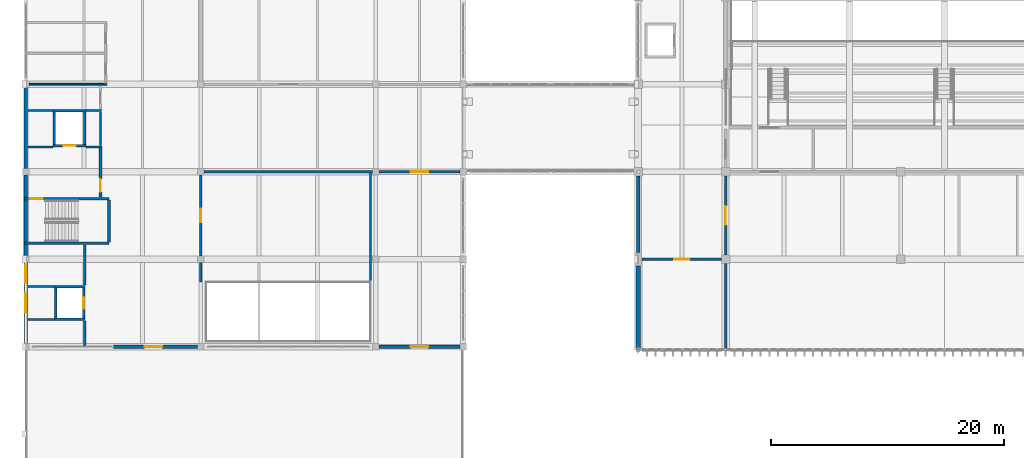
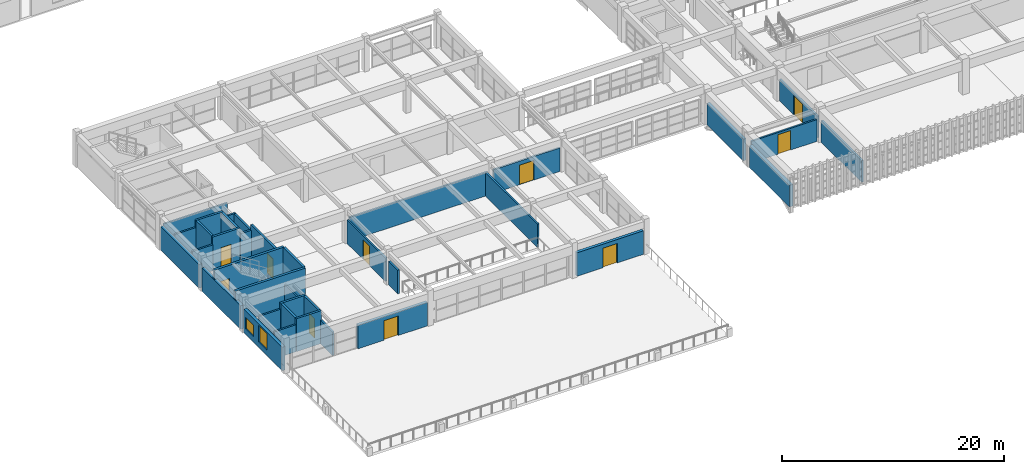
# One storey, part 76 of 101: 37 walls, 10 doors, 2 windows, 12 openings.
"""IFC4 building model written with IfcOpenShell, lengths in metres."""

from ifc_helpers import new_model, si_unit, direction, frame, frame_2d, origin, place, context, subcontext, project, spatial, rectangle, extrude, material, layer, layer_set, type_object, element, fill, save


model = new_model("IFC4")

# Units and contexts
model_context = context("Model", 3, precision=1e-05, world=origin(), true_north=direction((0.0, 1.0)))
body_context = subcontext(model_context, "Body", "Model", "MODEL_VIEW")
ifc_project = project(units=[si_unit("LENGTHUNIT", "METRE"), si_unit("AREAUNIT", "SQUARE_METRE"), si_unit("VOLUMEUNIT", "CUBIC_METRE"), si_unit("PLANEANGLEUNIT", "RADIAN"), si_unit("MASSUNIT", "GRAM", prefix="KILO")], contexts=[model_context])

# Site, building, storey
site_placement = place(None, origin())
site = spatial("IfcSite", under=ifc_project, at=site_placement, CompositionType="ELEMENT")
building_placement = place(site_placement, origin())
building = spatial("IfcBuilding", under=site, at=building_placement, Name="Qasida Concert Hall", CompositionType="ELEMENT")
storey_placement = place(building_placement, frame((0.0, 0.0, 13.199951171875)))
storey = spatial("IfcBuildingStorey", under=building, at=storey_placement, Name="L03", CompositionType="ELEMENT", Elevation=13.199951171875)

# Walls
ifc_material_1 = material(Name="Concrete C40/50", Category="concrete")
ifc_layer_1 = layer(ifc_material_1, 0.219970703125, Name="Concrete C40/50")
ifc_layer_set_1 = layer_set([ifc_layer_1], Name="Concrete C40/50")
wall_type_1 = type_object("IfcWallType", Name="WL-CW-220", PredefinedType="SOLIDWALL", material=ifc_layer_set_1)
for number, where, z_axis, x_axis, name in (
    (1, (2.43994140625, 17.35009765625, 0.0), (0.0, 0.0, 1.0), (1.0, 0.0, 0.0), "L03 LF-05 lift shaft wall S"),
    (2, (2.43994140625, 20.14990234375, 0.0), (0.0, 0.0, 1.0), (1.0, 0.0, 0.0), "L03 LF-05 lift shaft wall N"),
):
    element("IfcWall", number, at=place(storey_placement, frame(where, z_axis=z_axis, x_axis=x_axis)), inside=storey, type_object=wall_type_1, Name=name, PredefinedType="SOLIDWALL", context=body_context, shape_type="SweptSolid", body=[
        extrude(rectangle(XDim=2.6201171875, YDim=0.219970703125, at=frame_2d((1.31005859375, 0.0))), origin(), (0.0, 0.0, 1.0), 3.6201171875),
    ])
wall_1_placement = place(storey_placement, frame((2.550048828125, 17.4599609375, 0.0), z_axis=(0.0, 0.0, 1.0), x_axis=(0.0, 1.0, 0.0)))
element("IfcWall", 3, at=wall_1_placement, inside=storey, type_object=wall_type_1, Name="L03 LF-05 lift shaft wall W", PredefinedType="SOLIDWALL", context=body_context, shape_type="SweptSolid", body=[
    extrude(rectangle(XDim=2.580078125, YDim=0.219970703125, at=frame_2d((1.2900390625, 0.0))), origin(), (0.0, 0.0, 1.0), 3.6201171875),
])

# Wall, opening, door
wall_2_placement = place(storey_placement, frame((4.949951171875, 17.4599609375, 0.0), z_axis=(0.0, 0.0, 1.0), x_axis=(0.0, 1.0, 0.0)))
wall_2 = element("IfcWall", 4, at=wall_2_placement, inside=storey, type_object=wall_type_1, Name="L03 LF-05 lift shaft wall E", PredefinedType="SOLIDWALL", context=body_context, shape_type="SweptSolid", body=[
    extrude(rectangle(XDim=2.580078125, YDim=0.219970703125, at=frame_2d((1.2900390625, 0.0))), origin(), (0.0, 0.0, 1.0), 3.6201171875),
])
opening_1_placement = place(wall_2_placement, frame((0.7900390625, 0.0, 0.0)))
opening_1 = element("IfcOpeningElement", 5, at=opening_1_placement, cuts=wall_2, Name="Opening LD-100", PredefinedType="OPENING", context=body_context, shape_type="SweptSolid", body=[
    extrude(rectangle(XDim=1.0, YDim=2.14990234375, at=frame_2d((0.5, 1.074951171875))), frame((0.0, 0.119873046875, 0.0), z_axis=(0.0, -1.0, 0.0), x_axis=(1.0, 0.0, 0.0)), (0.0, 0.0, 1.0), 0.239990234375),
])
ifc_material_2 = material(Name="Brushed bronze passenger lift landing door", Category="steel")
door_type_1 = type_object("IfcDoorType", Name="LD-100", OperationType="SLIDING_TO_LEFT", PredefinedType="DOOR", material=ifc_material_2)
door_1_placement = place(opening_1_placement, origin())
door_1 = element("IfcDoor", 6, at=door_1_placement, inside=storey, type_object=door_type_1, Name="Lift landing door LF-05 L03", OperationType="SLIDING_TO_LEFT", OverallHeight=2.14990234375, OverallWidth=1.0, PredefinedType="DOOR", context=body_context, shape_type="SweptSolid", body=[
    extrude(rectangle(XDim=1.0, YDim=2.14990234375, at=frame_2d((0.5, 1.074951171875))), frame((0.0, 0.02490234375, 0.0), z_axis=(0.0, -1.0, 0.0), x_axis=(1.0, 0.0, 0.0)), (0.0, 0.0, 1.0), 0.050048828125),
])
fill(opening_1, door_1)

wall_3_placement = place(storey_placement, frame((2.340087890625, 32.25, 0.0), z_axis=(0.0, 0.0, 1.0), x_axis=(1.0, 0.0, 0.0)))
wall_3 = element("IfcWall", 7, at=wall_3_placement, inside=storey, type_object=wall_type_1, Name="L03 LF-06 lift shaft wall S", PredefinedType="SOLIDWALL", context=body_context, shape_type="SweptSolid", body=[
    extrude(rectangle(XDim=2.81982421875, YDim=0.219970703125, at=frame_2d((1.409912109375, 0.0))), origin(), (0.0, 0.0, 1.0), 3.6201171875),
])
opening_2_placement = place(wall_3_placement, frame((0.860107421875, 0.0, 0.0)))
opening_2 = element("IfcOpeningElement", 8, at=opening_2_placement, cuts=wall_3, Name="Opening LD-110", PredefinedType="OPENING", context=body_context, shape_type="SweptSolid", body=[
    extrude(rectangle(XDim=1.10009765625, YDim=2.14990234375, at=frame_2d((0.550048828125, 1.074951171875))), frame((0.0, 0.119873046875, 0.0), z_axis=(0.0, -1.0, 0.0), x_axis=(1.0, 0.0, 0.0)), (0.0, 0.0, 1.0), 0.239990234375),
])
ifc_material_3 = material(Name="Firefighting lift sliding landing door", Category="steel")
door_type_2 = type_object("IfcDoorType", Name="LD-110", OperationType="SLIDING_TO_LEFT", PredefinedType="DOOR", material=ifc_material_3)
door_2_placement = place(opening_2_placement, origin())
door_2 = element("IfcDoor", 9, at=door_2_placement, inside=storey, type_object=door_type_2, Name="Lift landing door LF-06 L03", OperationType="SLIDING_TO_LEFT", OverallHeight=2.14990234375, OverallWidth=1.10009765625, PredefinedType="DOOR", context=body_context, shape_type="SweptSolid", body=[
    extrude(rectangle(XDim=1.10009765625, YDim=2.14990234375, at=frame_2d((0.550048828125, 1.074951171875))), frame((0.0, 0.02490234375, 0.0), z_axis=(0.0, -1.0, 0.0), x_axis=(1.0, 0.0, 0.0)), (0.0, 0.0, 1.0), 0.050048828125),
])
fill(opening_2, door_2)

# Walls
wall_4_placement = place(storey_placement, frame((2.340087890625, 35.25, 0.0), z_axis=(0.0, 0.0, 1.0), x_axis=(1.0, 0.0, 0.0)))
element("IfcWall", 10, at=wall_4_placement, inside=storey, type_object=wall_type_1, Name="L03 LF-06 lift shaft wall N", PredefinedType="SOLIDWALL", context=body_context, shape_type="SweptSolid", body=[
    extrude(rectangle(XDim=2.81982421875, YDim=0.219970703125, at=frame_2d((1.409912109375, 0.0))), origin(), (0.0, 0.0, 1.0), 3.6201171875),
])
for number, where, z_axis, x_axis, name in (
    (11, (2.449951171875, 32.360107421875, 0.0), (0.0, 0.0, 1.0), (0.0, 1.0, 0.0), "L03 LF-06 lift shaft wall W"),
    (12, (5.050048828125, 32.360107421875, 0.0), (0.0, 0.0, 1.0), (0.0, 1.0, 0.0), "L03 LF-06 lift shaft wall E"),
):
    element("IfcWall", number, at=place(storey_placement, frame(where, z_axis=z_axis, x_axis=x_axis)), inside=storey, type_object=wall_type_1, Name=name, PredefinedType="SOLIDWALL", context=body_context, shape_type="SweptSolid", body=[
        extrude(rectangle(XDim=2.77978515625, YDim=0.219970703125, at=frame_2d((1.389892578125, 0.0))), origin(), (0.0, 0.0, 1.0), 3.6201171875),
    ])

# Wall, opening, door
wall_5_placement = place(storey_placement, frame((6.39990234375, 27.820068359375, 0.0), z_axis=(0.0, 0.0, 1.0), x_axis=(0.0, 1.0, 0.0)))
wall_5 = element("IfcWall", 13, at=wall_5_placement, inside=storey, type_object=wall_type_1, Name="L03 LF-06 firefighting lobby wall", PredefinedType="SOLIDWALL", context=body_context, shape_type="SweptSolid", body=[
    extrude(rectangle(XDim=4.309814453125, YDim=0.219970703125, at=frame_2d((2.15478515625, 0.0))), origin(), (0.0, 0.0, 1.0), 3.6201171875),
])
opening_3_placement = place(wall_5_placement, frame((0.449951171875, 0.0, 0.0)))
opening_3 = element("IfcOpeningElement", 14, at=opening_3_placement, cuts=wall_5, Name="Opening FD-110", PredefinedType="OPENING", context=body_context, shape_type="SweptSolid", body=[
    extrude(rectangle(XDim=1.10009765625, YDim=2.14990234375, at=frame_2d((0.550048828125, 1.074951171875))), frame((0.0, 0.119873046875, 0.0), z_axis=(0.0, -1.0, 0.0), x_axis=(1.0, 0.0, 0.0)), (0.0, 0.0, 1.0), 0.239990234375),
])
ifc_material_4 = material(Name="Steel fire-rated stair/lobby door set", Category="steel")
door_type_3 = type_object("IfcDoorType", Name="FD-110", OperationType="NOTDEFINED", PredefinedType="DOOR", material=ifc_material_4)
door_3_placement = place(opening_3_placement, origin())
door_3 = element("IfcDoor", 15, at=door_3_placement, inside=storey, type_object=door_type_3, Name="L03 LF-06 firefighting lobby fire door", OperationType="SINGLE_SWING_LEFT", OverallHeight=2.14990234375, OverallWidth=1.10009765625, PredefinedType="DOOR", context=body_context, shape_type="SweptSolid", body=[
    extrude(rectangle(XDim=1.10009765625, YDim=2.14990234375, at=frame_2d((0.550048828125, 1.074951171875))), frame((0.0, 0.02490234375, 0.0), z_axis=(0.0, -1.0, 0.0), x_axis=(1.0, 0.0, 0.0)), (0.0, 0.0, 1.0), 0.050048828125),
])
fill(opening_3, door_3)

# Wall
ifc_layer_2 = layer(ifc_material_1, 0.25, Name="Concrete C40/50")
ifc_layer_set_2 = layer_set([ifc_layer_2], Name="Concrete C40/50")
wall_type_2 = type_object("IfcWallType", Name="WL-CW-250", PredefinedType="SOLIDWALL", material=ifc_layer_set_2)
wall_6_placement = place(storey_placement, frame((-0.1201171875, 23.875, 0.0), z_axis=(0.0, 0.0, 1.0), x_axis=(1.0, 0.0, 0.0)))
element("IfcWall", 16, at=wall_6_placement, inside=storey, type_object=wall_type_2, Name="L03 ST-03 stairwell wall S", PredefinedType="SOLIDWALL", context=body_context, shape_type="SweptSolid", body=[
    extrude(rectangle(XDim=7.260009765625, YDim=0.25, at=frame_2d((3.6298828125, 0.0))), origin(), (0.0, 0.0, 1.0), 3.6201171875),
])

# Wall, opening, door
wall_7_placement = place(storey_placement, frame((-0.1201171875, 27.68505859375, 0.0), z_axis=(0.0, 0.0, 1.0), x_axis=(1.0, 0.0, 0.0)))
wall_7 = element("IfcWall", 17, at=wall_7_placement, inside=storey, type_object=wall_type_2, Name="L03 ST-03 stairwell wall N", PredefinedType="SOLIDWALL", context=body_context, shape_type="SweptSolid", body=[
    extrude(rectangle(XDim=7.260009765625, YDim=0.25, at=frame_2d((3.6298828125, 0.0))), origin(), (0.0, 0.0, 1.0), 3.6201171875),
])
opening_4_placement = place(wall_7_placement, frame((0.449951171875, 0.0, 0.0)))
opening_4 = element("IfcOpeningElement", 18, at=opening_4_placement, cuts=wall_7, Name="Opening FD-110", PredefinedType="OPENING", context=body_context, shape_type="SweptSolid", body=[
    extrude(rectangle(XDim=1.10009765625, YDim=2.14990234375, at=frame_2d((0.550048828125, 1.074951171875))), frame((0.0, 0.135009765625, 0.0), z_axis=(0.0, -1.0, 0.0), x_axis=(1.0, 0.0, 0.0)), (0.0, 0.0, 1.0), 0.27001953125),
])
door_4_placement = place(opening_4_placement, origin())
door_4 = element("IfcDoor", 19, at=door_4_placement, inside=storey, type_object=door_type_3, Name="L03 ST-03 rated stair door", OperationType="SINGLE_SWING_LEFT", OverallHeight=2.14990234375, OverallWidth=1.10009765625, PredefinedType="DOOR", context=body_context, shape_type="SweptSolid", body=[
    extrude(rectangle(XDim=1.10009765625, YDim=2.14990234375, at=frame_2d((0.550048828125, 1.074951171875))), frame((0.0, 0.02490234375, 0.0), z_axis=(0.0, -1.0, 0.0), x_axis=(1.0, 0.0, 0.0)), (0.0, 0.0, 1.0), 0.050048828125),
])
fill(opening_4, door_4)

# Walls
wall_8_placement = place(storey_placement, frame((7.14501953125, 24.0, 0.0), z_axis=(0.0, 0.0, 1.0), x_axis=(0.0, 1.0, 0.0)))
element("IfcWall", 20, at=wall_8_placement, inside=storey, type_object=wall_type_2, Name="L03 ST-03 stairwell wall E", PredefinedType="SOLIDWALL", context=body_context, shape_type="SweptSolid", body=[
    extrude(rectangle(XDim=3.56005859375, YDim=0.25, at=frame_2d((1.780029296875, 0.0))), origin(), (0.0, 0.0, 1.0), 3.6201171875),
])
ifc_material_5 = material(Name="Precast concrete C40/50", Category="concrete")
ifc_layer_3 = layer(ifc_material_5, 0.300048828125, Name="Precast concrete C40/50")
ifc_layer_set_3 = layer_set([ifc_layer_3], Name="Precast concrete C40/50")
wall_type_3 = type_object("IfcWallType", Name="WL-EW-300", PredefinedType="SOLIDWALL", material=ifc_layer_set_3)
wall_9_placement = place(storey_placement, frame((52.5, 23.06494140625, 0.0), z_axis=(0.0, 0.0, 1.0), x_axis=(0.0, 1.0, 0.0)))
element("IfcWall", 21, at=wall_9_placement, inside=storey, type_object=wall_type_3, Name="L03 exterior wall EW-300 0062", PredefinedType="SOLIDWALL", context=body_context, shape_type="SweptSolid", body=[
    extrude(rectangle(XDim=6.56005859375, YDim=0.300048828125, at=frame_2d((3.280029296875, 0.0))), origin(), (0.0, 0.0, 1.0), 2.39013671875),
])

# Wall, opening, door
wall_10_placement = place(storey_placement, frame((7.510009765625, 15.0, 0.0), z_axis=(0.0, 0.0, 1.0), x_axis=(1.0, 0.0, 0.0)))
wall_10 = element("IfcWall", 22, at=wall_10_placement, inside=storey, type_object=wall_type_3, Name="L03 exterior wall EW-300 0133", PredefinedType="SOLIDWALL", context=body_context, shape_type="SweptSolid", body=[
    extrude(rectangle(XDim=7.205078125, YDim=0.300048828125, at=frame_2d((3.6025390625, 0.0))), origin(), (0.0, 0.0, 1.0), 2.590087890625),
])
opening_5_placement = place(wall_10_placement, frame((2.68505859375, 0.0, 0.0)))
opening_5 = element("IfcOpeningElement", 23, at=opening_5_placement, cuts=wall_10, Name="Opening TD-150", PredefinedType="OPENING", context=body_context, shape_type="SweptSolid", body=[
    extrude(rectangle(XDim=1.5, YDim=2.14990234375, at=frame_2d((0.75, 1.074951171875))), frame((0.0, 0.159912109375, 0.0), z_axis=(0.0, -1.0, 0.0), x_axis=(1.0, 0.0, 0.0)), (0.0, 0.0, 1.0), 0.320068359375),
])
ifc_material_6 = material(Name="Patinated architectural bronze and laminated safety glass", Category="glass")
door_type_4 = type_object("IfcDoorType", Name="TD-150", OperationType="NOTDEFINED", PredefinedType="DOOR", material=ifc_material_6)
door_5_placement = place(opening_5_placement, frame((1.5, 0.0, 0.0), z_axis=(0.0, 0.0, 1.0), x_axis=(-1.0, 0.0, 0.0)))
door_5 = element("IfcDoor", 24, at=door_5_placement, inside=storey, type_object=door_type_4, Name="L03 south roof terrace door 1", OperationType="SINGLE_SWING_LEFT", OverallHeight=2.14990234375, OverallWidth=1.5, PredefinedType="DOOR", context=body_context, shape_type="SweptSolid", body=[
    extrude(rectangle(XDim=1.5, YDim=2.14990234375, at=frame_2d((0.75, 1.074951171875))), frame((0.0, 0.02490234375, 0.0), z_axis=(0.0, -1.0, 0.0), x_axis=(1.0, 0.0, 0.0)), (0.0, 0.0, 1.0), 0.050048828125),
])
fill(opening_5, door_5)

wall_11_placement = place(storey_placement, frame((30.284912109375, 15.0, 0.0), z_axis=(0.0, 0.0, 1.0), x_axis=(1.0, 0.0, 0.0)))
wall_11 = element("IfcWall", 25, at=wall_11_placement, inside=storey, type_object=wall_type_3, Name="L03 exterior wall EW-300 0134", PredefinedType="SOLIDWALL", context=body_context, shape_type="SweptSolid", body=[
    extrude(rectangle(XDim=6.93017578125, YDim=0.300048828125, at=frame_2d((3.465087890625, 0.0))), origin(), (0.0, 0.0, 1.0), 2.590087890625),
])
opening_6_placement = place(wall_11_placement, frame((2.715087890625, 0.0, 0.0)))
opening_6 = element("IfcOpeningElement", 26, at=opening_6_placement, cuts=wall_11, Name="Opening TD-150", PredefinedType="OPENING", context=body_context, shape_type="SweptSolid", body=[
    extrude(rectangle(XDim=1.5, YDim=2.14990234375, at=frame_2d((0.75, 1.074951171875))), frame((0.0, 0.159912109375, 0.0), z_axis=(0.0, -1.0, 0.0), x_axis=(1.0, 0.0, 0.0)), (0.0, 0.0, 1.0), 0.320068359375),
])
door_6_placement = place(opening_6_placement, frame((1.5, 0.0, 0.0), z_axis=(0.0, 0.0, 1.0), x_axis=(-1.0, 0.0, 0.0)))
door_6 = element("IfcDoor", 27, at=door_6_placement, inside=storey, type_object=door_type_4, Name="L03 south roof terrace door 4", OperationType="SINGLE_SWING_RIGHT", OverallHeight=2.14990234375, OverallWidth=1.5, PredefinedType="DOOR", context=body_context, shape_type="SweptSolid", body=[
    extrude(rectangle(XDim=1.5, YDim=2.14990234375, at=frame_2d((0.75, 1.074951171875))), frame((0.0, 0.02490234375, 0.0), z_axis=(0.0, -1.0, 0.0), x_axis=(1.0, 0.0, 0.0)), (0.0, 0.0, 1.0), 0.050048828125),
])
fill(opening_6, door_6)

# Wall, openings, windows
ifc_layer_4 = layer(ifc_material_5, 0.320068359375, Name="Precast concrete C40/50")
ifc_layer_set_4 = layer_set([ifc_layer_4], Name="Precast concrete C40/50")
wall_type_4 = type_object("IfcWallType", Name="WL-EW-320", PredefinedType="SOLIDWALL", material=ifc_layer_set_4)
wall_12_placement = place(storey_placement, frame((0.0, 15.284912109375, 0.0), z_axis=(0.0, 0.0, 1.0), x_axis=(0.0, 1.0, 0.0)))
wall_12 = element("IfcWall", 28, at=wall_12_placement, inside=storey, type_object=wall_type_4, Name="L03 exterior wall EW-320 0135", PredefinedType="SOLIDWALL", context=body_context, shape_type="SweptSolid", body=[
    extrude(rectangle(XDim=6.93017578125, YDim=0.320068359375, at=frame_2d((3.465087890625, 0.0))), origin(), (0.0, 0.0, 1.0), 2.590087890625),
])
opening_7_placement = place(wall_12_placement, frame((2.68994140625, 0.0, 0.60009765625)))
opening_7 = element("IfcOpeningElement", 29, at=opening_7_placement, cuts=wall_12, Name="Opening WN-04", PredefinedType="OPENING", context=body_context, shape_type="SweptSolid", body=[
    extrude(rectangle(XDim=1.550048828125, YDim=1.800048828125, at=frame_2d((0.77490234375, 0.89990234375))), frame((0.0, 0.169921875, 0.0), z_axis=(0.0, -1.0, 0.0), x_axis=(1.0, 0.0, 0.0)), (0.0, 0.0, 1.0), 0.340087890625),
])
opening_8_placement = place(wall_12_placement, frame((5.1875, 0.0, 0.60009765625)))
opening_8 = element("IfcOpeningElement", 30, at=opening_8_placement, cuts=wall_12, Name="Opening WN-11", PredefinedType="OPENING", context=body_context, shape_type="SweptSolid", body=[
    extrude(rectangle(XDim=1.449951171875, YDim=1.300048828125, at=frame_2d((0.72509765625, 0.64990234375))), frame((0.0, 0.169921875, 0.0), z_axis=(0.0, -1.0, 0.0), x_axis=(1.0, 0.0, 0.0)), (0.0, 0.0, 1.0), 0.340087890625),
])
ifc_material_7 = material(Name="Bronze-anodized aluminium frame with acoustic low-E glazing", Category="aluminium")
window_type_1 = type_object("IfcWindowType", Name="WN-04", PartitioningType="SINGLE_PANEL", PredefinedType="WINDOW", material=ifc_material_7)
window_1_placement = place(opening_7_placement, origin())
window_1 = element("IfcWindow", 31, at=window_1_placement, inside=storey, type_object=window_type_1, Name="L03 window WN-04 0057", OverallHeight=1.800048828125, OverallWidth=1.550048828125, PartitioningType="SINGLE_PANEL", PredefinedType="WINDOW", context=body_context, shape_type="SweptSolid", body=[
    extrude(rectangle(XDim=1.550048828125, YDim=1.800048828125, at=frame_2d((0.77490234375, 0.89990234375))), frame((0.0, 0.030029296875, 0.0), z_axis=(0.0, -1.0, 0.0), x_axis=(1.0, 0.0, 0.0)), (0.0, 0.0, 1.0), 0.06005859375),
])
fill(opening_7, window_1)
window_type_2 = type_object("IfcWindowType", Name="WN-11", PartitioningType="SINGLE_PANEL", PredefinedType="WINDOW", material=ifc_material_7)
window_2_placement = place(opening_8_placement, origin())
window_2 = element("IfcWindow", 32, at=window_2_placement, inside=storey, type_object=window_type_2, Name="L03 window WN-11 0058", OverallHeight=1.300048828125, OverallWidth=1.449951171875, PartitioningType="SINGLE_PANEL", PredefinedType="WINDOW", context=body_context, shape_type="SweptSolid", body=[
    extrude(rectangle(XDim=1.449951171875, YDim=1.300048828125, at=frame_2d((0.72509765625, 0.64990234375))), frame((0.0, 0.030029296875, 0.0), z_axis=(0.0, -1.0, 0.0), x_axis=(1.0, 0.0, 0.0)), (0.0, 0.0, 1.0), 0.06005859375),
])
fill(opening_8, window_2)

# Walls
for number, where, z_axis, x_axis, name in (
    (33, (0.0, 22.784912109375, 0.0), (0.0, 0.0, 1.0), (0.0, 1.0, 0.0), "L03 exterior wall EW-320 0136"),
    (34, (0.0, 30.284912109375, 0.0), (0.0, 0.0, 1.0), (0.0, 1.0, 0.0), "L03 exterior wall EW-320 0137"),
):
    element("IfcWall", number, at=place(storey_placement, frame(where, z_axis=z_axis, x_axis=x_axis)), inside=storey, type_object=wall_type_4, Name=name, PredefinedType="SOLIDWALL", context=body_context, shape_type="SweptSolid", body=[
        extrude(rectangle(XDim=6.93017578125, YDim=0.320068359375, at=frame_2d((3.465087890625, 0.0))), origin(), (0.0, 0.0, 1.0), 2.590087890625),
    ])
ifc_layer_5 = layer(ifc_material_5, 0.360107421875, Name="Precast concrete C40/50")
ifc_layer_set_5 = layer_set([ifc_layer_5], Name="Precast concrete C40/50")
wall_type_5 = type_object("IfcWallType", Name="WL-EW-360", PredefinedType="SOLIDWALL", material=ifc_layer_set_5)
wall_13_placement = place(storey_placement, frame((52.5, 14.699951171875, 0.0), z_axis=(0.0, 0.0, 1.0), x_axis=(0.0, 1.0, 0.0)))
element("IfcWall", 35, at=wall_13_placement, inside=storey, type_object=wall_type_5, Name="L03 exterior wall EW-360 0010", PredefinedType="SOLIDWALL", context=body_context, shape_type="SweptSolid", body=[
    extrude(rectangle(XDim=7.235107421875, YDim=0.360107421875, at=frame_2d((3.61767578125, 0.0))), origin(), (0.0, 0.0, 1.0), 2.39013671875),
])
ifc_material_8 = material(Name="Moisture-resistant gypsum partition", Category="gypsum")
ifc_layer_6 = layer(ifc_material_8, 0.159912109375, Name="Moisture-resistant gypsum partition")
ifc_layer_set_6 = layer_set([ifc_layer_6], Name="Moisture-resistant gypsum partition")
wall_type_6 = type_object("IfcWallType", Name="WL-PW-160", PredefinedType="PARTITIONING", material=ifc_layer_set_6)
wall_14_placement = place(storey_placement, frame((0.2890625, 37.5, 0.0), z_axis=(0.0, 0.0, 1.0), x_axis=(1.0, 0.0, 0.0)))
element("IfcWall", 36, at=wall_14_placement, inside=storey, type_object=wall_type_6, Name="L03 partition PW-160 0146", PredefinedType="PARTITIONING", context=body_context, shape_type="SweptSolid", body=[
    extrude(rectangle(XDim=6.660888671875, YDim=0.159912109375, at=frame_2d((3.33056640625, 0.0))), origin(), (0.0, 0.0, 1.0), 2.590087890625),
])
ifc_material_9 = material(Name="Acoustic metal-stud gypsum partition", Category="gypsum")
ifc_layer_7 = layer(ifc_material_9, 0.179931640625, Name="Acoustic metal-stud gypsum partition")
ifc_layer_set_7 = layer_set([ifc_layer_7], Name="Acoustic metal-stud gypsum partition")
wall_type_7 = type_object("IfcWallType", Name="WL-PW-180", PredefinedType="PARTITIONING", material=ifc_layer_set_7)
for number, where, z_axis, x_axis, name in (
    (37, (0.174072265625, 17.35009765625, 0.0), (0.0, 0.0, 1.0), (1.0, 0.0, 0.0), "L03 partition PW-180 0100"),
    (38, (0.174072265625, 20.14990234375, 0.0), (0.0, 0.0, 1.0), (1.0, 0.0, 0.0), "L03 partition PW-180 0101"),
):
    element("IfcWall", number, at=place(storey_placement, frame(where, z_axis=z_axis, x_axis=x_axis)), inside=storey, type_object=wall_type_7, Name=name, PredefinedType="PARTITIONING", context=body_context, shape_type="SweptSolid", body=[
        extrude(rectangle(XDim=2.265869140625, YDim=0.179931640625, at=frame_2d((1.1328125, 0.0))), origin(), (0.0, 0.0, 1.0), 2.969970703125),
    ])
wall_15_placement = place(storey_placement, frame((5.050048828125, 15.092041015625, 0.0), z_axis=(0.0, 0.0, 1.0), x_axis=(0.0, 1.0, 0.0)))
element("IfcWall", 39, at=wall_15_placement, inside=storey, type_object=wall_type_7, Name="L03 partition PW-180 0102", PredefinedType="PARTITIONING", context=body_context, shape_type="SweptSolid", body=[
    extrude(rectangle(XDim=2.134033203125, YDim=0.179931640625, at=frame_2d((1.06689453125, 0.0))), origin(), (0.0, 0.0, 1.0), 2.590087890625),
])
wall_16_placement = place(storey_placement, frame((5.050048828125, 20.27392578125, 0.0), z_axis=(0.0, 0.0, 1.0), x_axis=(0.0, 1.0, 0.0)))
element("IfcWall", 40, at=wall_16_placement, inside=storey, type_object=wall_type_7, Name="L03 partition PW-180 0103", PredefinedType="PARTITIONING", context=body_context, shape_type="SweptSolid", body=[
    extrude(rectangle(XDim=3.462158203125, YDim=0.179931640625, at=frame_2d((1.73095703125, 0.0))), origin(), (0.0, 0.0, 1.0), 2.590087890625),
])
wall_17_placement = place(storey_placement, frame((0.174072265625, 35.25, 0.0), z_axis=(0.0, 0.0, 1.0), x_axis=(1.0, 0.0, 0.0)))
element("IfcWall", 41, at=wall_17_placement, inside=storey, type_object=wall_type_7, Name="L03 partition PW-180 0144", PredefinedType="PARTITIONING", context=body_context, shape_type="SweptSolid", body=[
    extrude(rectangle(XDim=2.166015625, YDim=0.179931640625, at=frame_2d((1.0830078125, 0.0))), origin(), (0.0, 0.0, 1.0), 2.840087890625),
])
wall_18_placement = place(storey_placement, frame((5.159912109375, 35.25, 0.0), z_axis=(0.0, 0.0, 1.0), x_axis=(1.0, 0.0, 0.0)))
element("IfcWall", 42, at=wall_18_placement, inside=storey, type_object=wall_type_7, Name="L03 partition PW-180 0145", PredefinedType="PARTITIONING", context=body_context, shape_type="SweptSolid", body=[
    extrude(rectangle(XDim=1.340087890625, YDim=0.179931640625, at=frame_2d((0.669921875, 0.0))), origin(), (0.0, 0.0, 1.0), 2.969970703125),
])
wall_19_placement = place(storey_placement, frame((6.39990234375, 32.243896484375, 0.0), z_axis=(0.0, 0.0, 1.0), x_axis=(0.0, 1.0, 0.0)))
element("IfcWall", 43, at=wall_19_placement, inside=storey, type_object=wall_type_7, Name="L03 partition PW-180 0147", PredefinedType="PARTITIONING", context=body_context, shape_type="SweptSolid", body=[
    extrude(rectangle(XDim=2.902099609375, YDim=0.179931640625, at=frame_2d((1.451171875, 0.0))), origin(), (0.0, 0.0, 1.0), 2.969970703125),
])
wall_20_placement = place(storey_placement, frame((15.2890625, 30.0, 0.0), z_axis=(0.0, 0.0, 1.0), x_axis=(1.0, 0.0, 0.0)))
element("IfcWall", 44, at=wall_20_placement, inside=storey, type_object=wall_type_7, Name="L03 partition PW-180 0214", PredefinedType="PARTITIONING", context=body_context, shape_type="SweptSolid", body=[
    extrude(rectangle(XDim=14.421875, YDim=0.179931640625, at=frame_2d((7.2109375, 0.0))), origin(), (0.0, 0.0, 1.0), 2.590087890625),
])

# Wall, opening, door
wall_21_placement = place(storey_placement, frame((30.2890625, 30.0, 0.0), z_axis=(0.0, 0.0, 1.0), x_axis=(1.0, 0.0, 0.0)))
wall_21 = element("IfcWall", 45, at=wall_21_placement, inside=storey, type_object=wall_type_7, Name="L03 partition PW-180 0215", PredefinedType="PARTITIONING", context=body_context, shape_type="SweptSolid", body=[
    extrude(rectangle(XDim=6.921875, YDim=0.179931640625, at=frame_2d((3.4609375, 0.0))), origin(), (0.0, 0.0, 1.0), 2.590087890625),
])
opening_9_placement = place(wall_21_placement, frame((2.7109375, 0.0, 0.0)))
opening_9 = element("IfcOpeningElement", 46, at=opening_9_placement, cuts=wall_21, Name="Opening ID-150", PredefinedType="OPENING", context=body_context, shape_type="SweptSolid", body=[
    extrude(rectangle(XDim=1.5, YDim=2.159912109375, at=frame_2d((0.75, 1.080078125))), frame((0.0, 0.099853515625, 0.0), z_axis=(0.0, -1.0, 0.0), x_axis=(1.0, 0.0, 0.0)), (0.0, 0.0, 1.0), 0.199951171875),
])
ifc_material_10 = material(Name="Bronze-framed glazed foyer door", Category="aluminium")
door_type_5 = type_object("IfcDoorType", Name="ID-150", OperationType="NOTDEFINED", PredefinedType="DOOR", material=ifc_material_10)
door_7_placement = place(opening_9_placement, origin())
door_7 = element("IfcDoor", 47, at=door_7_placement, inside=storey, type_object=door_type_5, Name="L03 Second circle east gallery door", OperationType="SINGLE_SWING_RIGHT", OverallHeight=2.159912109375, OverallWidth=1.5, PredefinedType="DOOR", context=body_context, shape_type="SweptSolid", body=[
    extrude(rectangle(XDim=1.5, YDim=2.159912109375, at=frame_2d((0.75, 1.080078125))), frame((0.0, 0.02490234375, 0.0), z_axis=(0.0, -1.0, 0.0), x_axis=(1.0, 0.0, 0.0)), (0.0, 0.0, 1.0), 0.050048828125),
])
fill(opening_9, door_7)

# Walls
wall_22_placement = place(storey_placement, frame((29.5400390625, 20.5400390625, 0.0), z_axis=(0.0, 0.0, 1.0), x_axis=(0.0, 1.0, 0.0)))
element("IfcWall", 48, at=wall_22_placement, inside=storey, type_object=wall_type_7, Name="L03 partition PW-180 0218", PredefinedType="PARTITIONING", context=body_context, shape_type="SweptSolid", body=[
    extrude(rectangle(XDim=9.35595703125, YDim=0.179931640625, at=frame_2d((4.677978515625, 0.0))), origin(), (0.0, 0.0, 1.0), 2.590087890625),
])
wall_23_placement = place(storey_placement, frame((15.0, 20.5400390625, 0.0), z_axis=(0.0, 0.0, 1.0), x_axis=(0.0, 1.0, 0.0)))
element("IfcWall", 49, at=wall_23_placement, inside=storey, type_object=wall_type_7, Name="L03 partition PW-180 0219", PredefinedType="PARTITIONING", context=body_context, shape_type="SweptSolid", body=[
    extrude(rectangle(XDim=1.6708984375, YDim=0.179931640625, at=frame_2d((0.83544921875, 0.0))), origin(), (0.0, 0.0, 1.0), 2.590087890625),
])

# Wall, opening, door
wall_24_placement = place(storey_placement, frame((15.0, 22.7890625, 0.0), z_axis=(0.0, 0.0, 1.0), x_axis=(0.0, 1.0, 0.0)))
wall_24 = element("IfcWall", 50, at=wall_24_placement, inside=storey, type_object=wall_type_7, Name="L03 partition PW-180 0220", PredefinedType="PARTITIONING", context=body_context, shape_type="SweptSolid", body=[
    extrude(rectangle(XDim=6.921875, YDim=0.179931640625, at=frame_2d((3.4609375, 0.0))), origin(), (0.0, 0.0, 1.0), 2.590087890625),
])
opening_10_placement = place(wall_24_placement, frame((2.885986328125, 0.0, 0.0)))
opening_10 = element("IfcOpeningElement", 51, at=opening_10_placement, cuts=wall_24, Name="Opening ID-115", PredefinedType="OPENING", context=body_context, shape_type="SweptSolid", body=[
    extrude(rectangle(XDim=1.14990234375, YDim=2.139892578125, at=frame_2d((0.574951171875, 1.06982421875))), frame((0.0, 0.099853515625, 0.0), z_axis=(0.0, -1.0, 0.0), x_axis=(1.0, 0.0, 0.0)), (0.0, 0.0, 1.0), 0.199951171875),
])
ifc_material_11 = material(Name="Quarter-sawn oak office door", Category="wood")
door_type_6 = type_object("IfcDoorType", Name="ID-115", OperationType="NOTDEFINED", PredefinedType="DOOR", material=ifc_material_11)
door_8_placement = place(opening_10_placement, origin())
door_8 = element("IfcDoor", 52, at=door_8_placement, inside=storey, type_object=door_type_6, Name="L03 Patron archive reading room door", OperationType="SINGLE_SWING_RIGHT", OverallHeight=2.139892578125, OverallWidth=1.14990234375, PredefinedType="DOOR", context=body_context, shape_type="SweptSolid", body=[
    extrude(rectangle(XDim=1.14990234375, YDim=2.139892578125, at=frame_2d((0.574951171875, 1.06982421875))), frame((0.0, 0.02490234375, 0.0), z_axis=(0.0, -1.0, 0.0), x_axis=(1.0, 0.0, 0.0)), (0.0, 0.0, 1.0), 0.050048828125),
])
fill(opening_10, door_8)

wall_25_placement = place(storey_placement, frame((52.81396484375, 22.5, 0.0), z_axis=(0.0, 0.0, 1.0), x_axis=(1.0, 0.0, 0.0)))
wall_25 = element("IfcWall", 53, at=wall_25_placement, inside=storey, type_object=wall_type_7, Name="L03 partition PW-180 0480", PredefinedType="PARTITIONING", context=body_context, shape_type="SweptSolid", body=[
    extrude(rectangle(XDim=6.81201171875, YDim=0.179931640625, at=frame_2d((3.406005859375, 0.0))), origin(), (0.0, 0.0, 1.0), 2.39013671875),
])
opening_11_placement = place(wall_25_placement, frame((2.785888671875, 0.0, 0.0)))
opening_11 = element("IfcOpeningElement", 54, at=opening_11_placement, cuts=wall_25, Name="Opening ID-130", PredefinedType="OPENING", context=body_context, shape_type="SweptSolid", body=[
    extrude(rectangle(XDim=1.300048828125, YDim=2.14990234375, at=frame_2d((0.64990234375, 1.074951171875))), frame((0.0, 0.099853515625, 0.0), z_axis=(0.0, -1.0, 0.0), x_axis=(1.0, 0.0, 0.0)), (0.0, 0.0, 1.0), 0.199951171875),
])
ifc_material_12 = material(Name="Bronze-framed glazed salon door", Category="aluminium")
door_type_7 = type_object("IfcDoorType", Name="ID-130", OperationType="NOTDEFINED", PredefinedType="DOOR", material=ifc_material_12)
door_9_placement = place(opening_11_placement, origin())
door_9 = element("IfcDoor", 55, at=door_9_placement, inside=storey, type_object=door_type_7, Name="L03 L03 west south salon door", OperationType="SINGLE_SWING_RIGHT", OverallHeight=2.14990234375, OverallWidth=1.300048828125, PredefinedType="DOOR", context=body_context, shape_type="SweptSolid", body=[
    extrude(rectangle(XDim=1.300048828125, YDim=2.14990234375, at=frame_2d((0.64990234375, 1.074951171875))), frame((0.0, 0.02490234375, 0.0), z_axis=(0.0, -1.0, 0.0), x_axis=(1.0, 0.0, 0.0)), (0.0, 0.0, 1.0), 0.050048828125),
])
fill(opening_11, door_9)

# Walls
ifc_material_13 = material(Name="Acoustic gypsum block and mineral wool", Category="gypsum")
ifc_layer_8 = layer(ifc_material_13, 0.199951171875, Name="Acoustic gypsum block and mineral wool")
ifc_layer_set_8 = layer_set([ifc_layer_8], Name="Acoustic gypsum block and mineral wool")
wall_type_8 = type_object("IfcWallType", Name="WL-PW-200", PredefinedType="PARTITIONING", material=ifc_layer_set_8)
wall_26_placement = place(storey_placement, frame((0.179931640625, 32.1298828125, 0.0), z_axis=(0.0, 0.0, 1.0), x_axis=(1.0, 0.0, 0.0)))
element("IfcWall", 56, at=wall_26_placement, inside=storey, type_object=wall_type_8, Name="L03 LF-06 firefighting lobby return wall", PredefinedType="PARTITIONING", context=body_context, shape_type="SweptSolid", body=[
    extrude(rectangle(XDim=2.14501953125, YDim=0.199951171875, at=frame_2d((1.072509765625, 0.0))), origin(), (0.0, 0.0, 1.0), 2.85009765625),
])
wall_27_placement = place(storey_placement, frame((5.175048828125, 32.1298828125, 0.0), z_axis=(0.0, 0.0, 1.0), x_axis=(1.0, 0.0, 0.0)))
element("IfcWall", 57, at=wall_27_placement, inside=storey, type_object=wall_type_8, Name="L03 LF-06 firefighting lobby return wall", PredefinedType="PARTITIONING", context=body_context, shape_type="SweptSolid", body=[
    extrude(rectangle(XDim=1.3349609375, YDim=0.199951171875, at=frame_2d((0.66748046875, 0.0))), origin(), (0.0, 0.0, 1.0), 3.050048828125),
])
wall_28_placement = place(storey_placement, frame((60.0, 14.820068359375, 0.0), z_axis=(0.0, 0.0, 1.0), x_axis=(0.0, 1.0, 0.0)))
element("IfcWall", 58, at=wall_28_placement, inside=storey, type_object=wall_type_8, Name="L03 partition PW-200 0488", PredefinedType="PARTITIONING", context=body_context, shape_type="SweptSolid", body=[
    extrude(rectangle(XDim=7.305908203125, YDim=0.199951171875, at=frame_2d((3.65283203125, 0.0))), origin(), (0.0, 0.0, 1.0), 2.39013671875),
])

# Wall, opening, door
wall_29_placement = place(storey_placement, frame((60.0, 22.8740234375, 0.0), z_axis=(0.0, 0.0, 1.0), x_axis=(0.0, 1.0, 0.0)))
wall_29 = element("IfcWall", 59, at=wall_29_placement, inside=storey, type_object=wall_type_8, Name="L03 partition PW-200 0489", PredefinedType="PARTITIONING", context=body_context, shape_type="SweptSolid", body=[
    extrude(rectangle(XDim=6.751953125, YDim=0.199951171875, at=frame_2d((3.3759765625, 0.0))), origin(), (0.0, 0.0, 1.0), 2.39013671875),
])
opening_12_placement = place(wall_29_placement, frame((2.575927734375, 0.0, 0.0)))
opening_12 = element("IfcOpeningElement", 60, at=opening_12_placement, cuts=wall_29, Name="Opening FD-160", PredefinedType="OPENING", context=body_context, shape_type="SweptSolid", body=[
    extrude(rectangle(XDim=1.60009765625, YDim=2.14990234375, at=frame_2d((0.800048828125, 1.074951171875))), frame((0.0, 0.10986328125, 0.0), z_axis=(0.0, -1.0, 0.0), x_axis=(1.0, 0.0, 0.0)), (0.0, 0.0, 1.0), 0.219970703125),
])
ifc_material_14 = material(Name="Double-leaf acoustic fire door", Category="steel")
door_type_8 = type_object("IfcDoorType", Name="FD-160", OperationType="NOTDEFINED", PredefinedType="DOOR", material=ifc_material_14)
door_10_placement = place(opening_12_placement, origin())
door_10 = element("IfcDoor", 61, at=door_10_placement, inside=storey, type_object=door_type_8, Name="L03 L03 balcony foyer west door", OperationType="SINGLE_SWING_RIGHT", OverallHeight=2.14990234375, OverallWidth=1.60009765625, PredefinedType="DOOR", context=body_context, shape_type="SweptSolid", body=[
    extrude(rectangle(XDim=1.60009765625, YDim=2.14990234375, at=frame_2d((0.800048828125, 1.074951171875))), frame((0.0, 0.02490234375, 0.0), z_axis=(0.0, -1.0, 0.0), x_axis=(1.0, 0.0, 0.0)), (0.0, 0.0, 1.0), 0.050048828125),
])
fill(opening_12, door_10)

save(model, "model.ifc")
